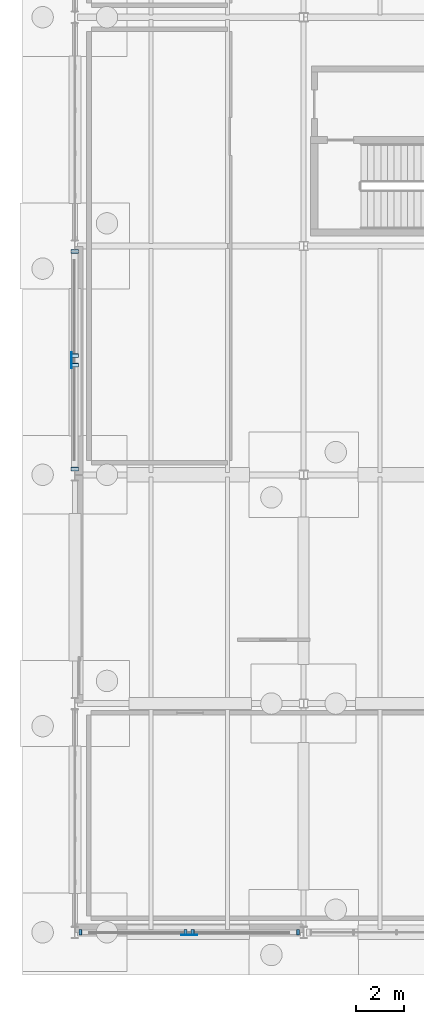
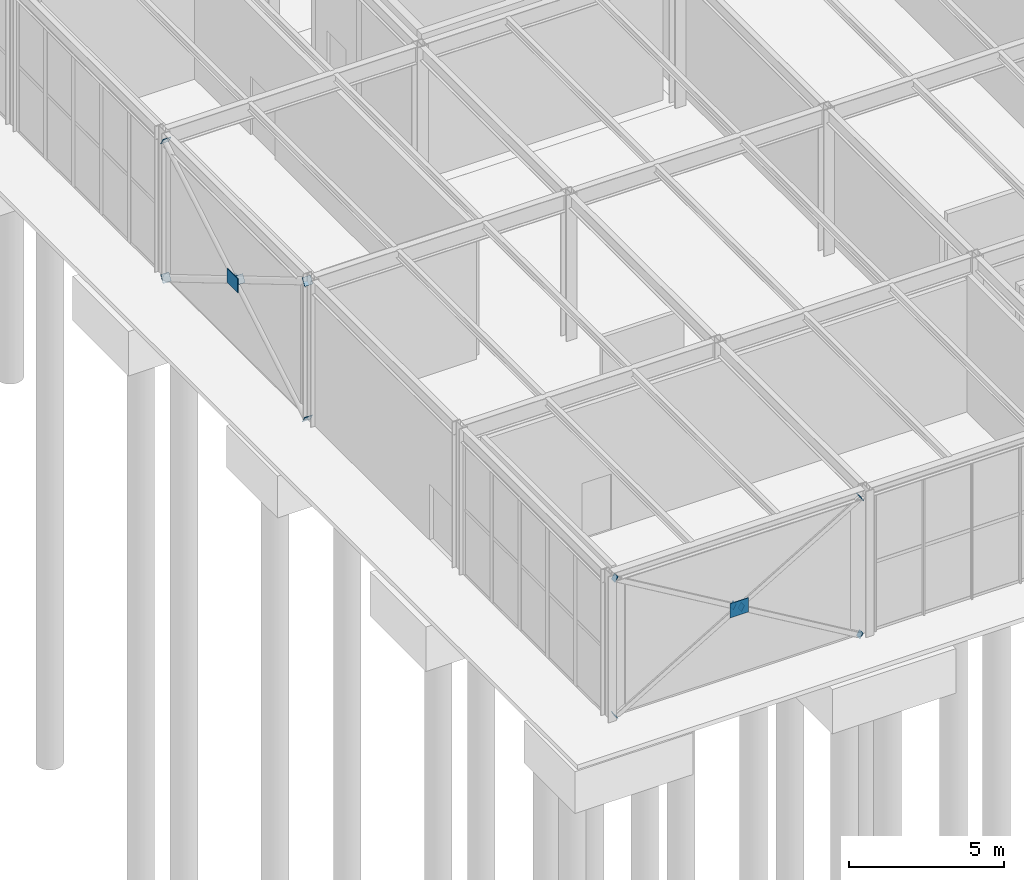
# One storey, part 113 of 142: 14 plates.
"""IFC4 building model written with IfcOpenShell, lengths in metres."""

from ifc_helpers import new_model, si_unit, direction, frame, origin, origin_2d, place, context, subcontext, project, spatial, rectangle, extrude, material, layer, layer_set, type_object, element, save


model = new_model("IFC4")

# Units and contexts
model_context = context("Model", 3, precision=1e-05, world=origin(), true_north=direction((0.0, 1.0)))
body_context = subcontext(model_context, "Body", "Model", "MODEL_VIEW")
ifc_project = project(units=[si_unit("LENGTHUNIT", "METRE"), si_unit("AREAUNIT", "SQUARE_METRE"), si_unit("VOLUMEUNIT", "CUBIC_METRE"), si_unit("PLANEANGLEUNIT", "RADIAN"), si_unit("MASSUNIT", "GRAM", prefix="KILO")], contexts=[model_context])

# Site, building, storey
site_placement = place(None, origin())
site = spatial("IfcSite", under=ifc_project, at=site_placement, CompositionType="ELEMENT")
building_placement = place(site_placement, origin())
building = spatial("IfcBuilding", under=site, at=building_placement, Name="Coralgate Yard Interchange", CompositionType="ELEMENT")
storey_placement = place(building_placement, origin())
storey = spatial("IfcBuildingStorey", under=building, at=storey_placement, Name="L00", CompositionType="ELEMENT", Elevation=0.0)

# Plates
ifc_material_1 = material(Name="Structural steel S355J2", Category="steel")
ifc_layer_1 = layer(ifc_material_1, 0.01806640625)
ifc_layer_set_1 = layer_set([ifc_layer_1], Name="Structural steel S355J2")
plate_type_1 = type_object("IfcPlateType", Name="PLT-EP-18", PredefinedType="USERDEFINED", material=ifc_layer_set_1)
for number, where, z_axis, x_axis, name in (
    (1, (0.0, 19.44189453125, 0.02099609375), (0.0, -0.8600616677, -0.510190089822), (1.0, 0.0, 0.0), "Steel hollow section end cap plate CAP-BRC-L00-W-A-0"),
    (2, (0.0, 28.55810546875, 5.428955078125), (0.0, 0.8600616677, 0.510190089822), (-1.0, 0.0, 0.0), "Steel hollow section end cap plate CAP-BRC-L00-W-A-1"),
    (3, (0.0, 28.55810546875, 0.02099609375), (0.0, 0.8600616677, -0.510190089822), (-1.0, 0.0, 0.0), "Steel hollow section end cap plate CAP-BRC-L00-W-B1-0"),
    (4, (0.0, 24.206298828125, 2.6025390625), (0.0, -0.8600616677, 0.510190089822), (1.0, 0.0, 0.0), "Steel hollow section end cap plate CAP-BRC-L00-W-B1-1"),
    (5, (0.0, 23.793701171875, 2.847412109375), (0.0, 0.8600616677, -0.510190089822), (-1.0, 0.0, 0.0), "Steel hollow section end cap plate CAP-BRC-L00-W-B2-0"),
    (6, (0.0, 19.44189453125, 5.428955078125), (0.0, -0.8600616677, 0.510190089822), (1.0, 0.0, 0.0), "Steel hollow section end cap plate CAP-BRC-L00-W-B2-1"),
):
    element("IfcPlate", number, at=place(storey_placement, frame(where, z_axis=z_axis, x_axis=x_axis)), inside=storey, type_object=plate_type_1, Name=name, ObjectType="CAP PLATE", PredefinedType="USERDEFINED", context=body_context, shape_type="SweptSolid", body=[
        extrude(rectangle(XDim=0.302978515625, YDim=0.302978515625, at=origin_2d()), origin(), (0.0, 0.0, 1.0), 0.01806640625),
    ])
for number, where, z_axis, x_axis, name in (
    (7, (0.24169921875, 0.0, 0.02099609375), (-0.8600616677, 0.0, -0.510190089822), (0.0, -1.0, 0.0), "Steel hollow section end cap plate CAP-BRC-L00-S-A-0"),
    (8, (9.358154296875, 0.0, 5.428955078125), (0.8600616677, 0.0, 0.510190089822), (0.0, 1.0, 0.0), "Steel hollow section end cap plate CAP-BRC-L00-S-A-1"),
    (9, (9.358154296875, 0.0, 0.02099609375), (0.8600616677, 0.0, -0.510190089822), (0.0, 1.0, 0.0), "Steel hollow section end cap plate CAP-BRC-L00-S-B1-0"),
    (10, (4.95751953125, 0.0, 2.631591796875), (-0.8600616677, 0.0, 0.510190089822), (0.0, -1.0, 0.0), "Steel hollow section end cap plate CAP-BRC-L00-S-B1-1"),
    (11, (4.642578125, 0.0, 2.818359375), (0.8600616677, 0.0, -0.510190089822), (0.0, 1.0, 0.0), "Steel hollow section end cap plate CAP-BRC-L00-S-B2-0"),
    (12, (0.24169921875, 0.0, 5.428955078125), (-0.8600616677, 0.0, 0.510190089822), (0.0, -1.0, 0.0), "Steel hollow section end cap plate CAP-BRC-L00-S-B2-1"),
):
    element("IfcPlate", number, at=place(storey_placement, frame(where, z_axis=z_axis, x_axis=x_axis)), inside=storey, type_object=plate_type_1, Name=name, ObjectType="CAP PLATE", PredefinedType="USERDEFINED", context=body_context, shape_type="SweptSolid", body=[
        extrude(rectangle(XDim=0.22998046875, YDim=0.22998046875, at=origin_2d()), origin(), (0.0, 0.0, 1.0), 0.01806640625),
    ])
ifc_material_2 = material(Name="Yellow-ochre weather-coated structural steel S355J2", Category="steel")
ifc_layer_2 = layer(ifc_material_2, 0.02392578125)
ifc_layer_set_2 = layer_set([ifc_layer_2], Name="Yellow-ochre weather-coated structural steel S355J2")
plate_type_2 = type_object("IfcPlateType", Name="PLT-EP-24", PredefinedType="USERDEFINED", material=ifc_layer_set_2)
for number, where, z_axis, x_axis, name in (
    (13, (-0.1474609375, 24.0, 2.445068359375), (0.0, 0.0, 1.0), (0.0, 1.0, 0.0), "L00 X-brace crossing gusset plate W"),
    (14, (4.800048828125, -0.111083984375, 2.445068359375), (0.0, 0.0, 1.0), (1.0, 0.0, 0.0), "L00 X-brace crossing gusset plate S"),
):
    element("IfcPlate", number, at=place(storey_placement, frame(where, z_axis=z_axis, x_axis=x_axis)), inside=storey, type_object=plate_type_2, Name=name, ObjectType="CAP PLATE", PredefinedType="USERDEFINED", context=body_context, shape_type="SweptSolid", body=[
        extrude(rectangle(XDim=0.679931640625, YDim=0.02392578125, at=origin_2d()), origin(), (0.0, 0.0, 1.0), 0.56005859375),
    ])

save(model, "model.ifc")
